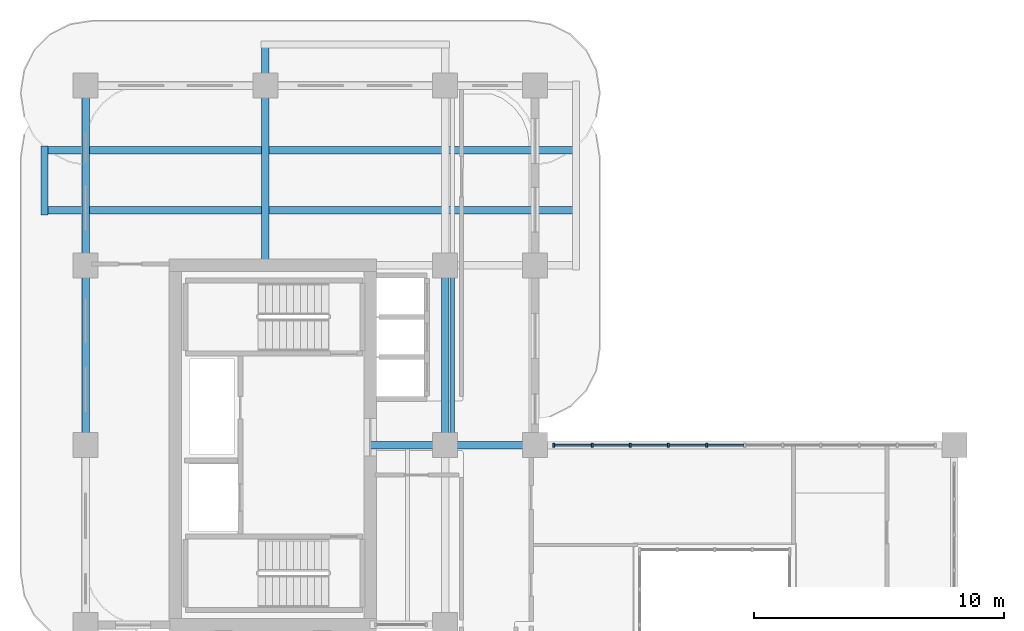
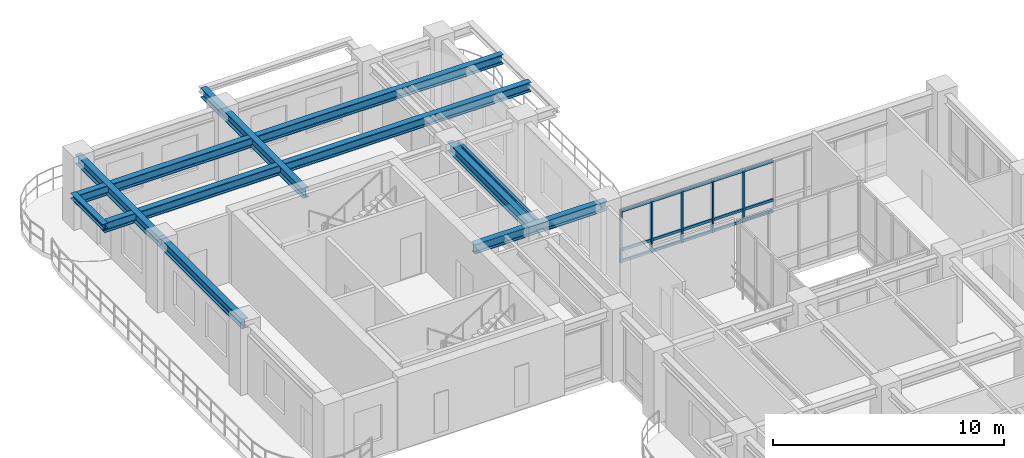
# One storey, part 5 of 20: 20 members, 9 beams, 1 element without a shape of its own.
"""IFC4 building model written with IfcOpenShell, lengths in metres."""

from ifc_helpers import new_model, si_unit, derived_unit, direction, frame, origin, origin_2d, place, context, subcontext, project, spatial, rectangle, i_section, extrude, source, transform, mapped, material, layer, layer_set, material_profile, profile_set, type_object, type_shapes, element, aggregate, save


model = new_model("IFC4")

# Units and contexts
model_context = context("Model", 3, precision=1e-05, world=origin(), true_north=direction((0.0, 1.0)))
body_context = subcontext(model_context, "Body", "Model", "MODEL_VIEW")
ifc_project = project(units=[si_unit("LENGTHUNIT", "METRE"), si_unit("AREAUNIT", "SQUARE_METRE"), si_unit("VOLUMEUNIT", "CUBIC_METRE"), si_unit("PLANEANGLEUNIT", "RADIAN"), si_unit("MASSUNIT", "GRAM", prefix="KILO"), si_unit("THERMODYNAMICTEMPERATUREUNIT", "KELVIN"), si_unit("POWERUNIT", "WATT"), derived_unit("THERMALTRANSMITTANCEUNIT", [(si_unit("POWERUNIT", "WATT"), 1), (si_unit("AREAUNIT", "SQUARE_METRE"), -1), (si_unit("THERMODYNAMICTEMPERATUREUNIT", "KELVIN"), -1)])], contexts=[model_context])

# Site, building, storey
site_placement = place(None, origin())
site = spatial("IfcSite", under=ifc_project, at=site_placement, CompositionType="ELEMENT")
building_placement = place(site_placement, origin())
building = spatial("IfcBuilding", under=site, at=building_placement, Name="Zahravan Archway Hotel and Residences", CompositionType="ELEMENT")
storey_placement = place(building_placement, frame((0.0, 0.0, 154.14990234375)))
storey = spatial("IfcBuildingStorey", under=building, at=storey_placement, Name="L38", CompositionType="ELEMENT", Elevation=154.14990234375)

# Beams
ifc_material_1 = material(Name="Structural Steel S355JR", Category="steel")
ifc_material_profile_1 = material_profile(ifc_material_1, i_section(OverallWidth=0.280029296875, OverallDepth=0.280029296875, WebThickness=0.010498046875, FlangeThickness=0.01806640625, FilletRadius=0.02392578125, at=origin_2d()), Name="HEB 280", Category="steel")
ifc_profile_set_1 = profile_set([ifc_material_profile_1], Name="Structural Steel S355JR")
beam_type_1 = type_object("IfcBeamType", Name="BM-SPN-HEB280", PredefinedType="SPANDREL", material=ifc_profile_set_1)
shared_shape_1 = source(origin(), body_context, "Body", "SweptSolid", [
    extrude(i_section(OverallWidth=0.280029296875, OverallDepth=0.280029296875, WebThickness=0.010498046875, FlangeThickness=0.01806640625, FilletRadius=0.02392578125, at=origin_2d()), origin(), (0.0, 0.0, 1.0), 2.759765625),
])
beam_1_placement = place(storey_placement, frame((-1.64990234375, 41.6201171875, 3.460205078125), z_axis=(0.0, 1.0, 0.0), x_axis=(-1.0, 0.0, 0.0)))
element("IfcBeam", 1, at=beam_1_placement, inside=storey, type_object=beam_type_1, Name="L39 WB Balcony Edge Spandrel", PredefinedType="SPANDREL", context=body_context, shape_type="MappedRepresentation", body=[
    mapped(shared_shape_1, transform((0.0, 0.0, 0.0), scale=1.0)),
])
ifc_material_profile_2 = material_profile(ifc_material_1, i_section(OverallWidth=0.300048828125, OverallDepth=0.5, WebThickness=0.014404296875, FlangeThickness=0.028076171875, FilletRadius=0.027099609375, at=origin_2d()), Name="HEB 500", Category="steel")
ifc_profile_set_2 = profile_set([ifc_material_profile_2], Name="Structural Steel S355JR")
beam_type_2 = type_object("IfcBeamType", Name="BM-PRI-HEB500", PredefinedType="BEAM", material=ifc_profile_set_2)
shared_shape_2 = source(origin(), body_context, "Body", "SweptSolid", [
    extrude(i_section(OverallWidth=0.300048828125, OverallDepth=0.5, WebThickness=0.014404296875, FlangeThickness=0.028076171875, FilletRadius=0.027099609375, at=origin_2d()), origin(), (0.0, 0.0, 1.0), 7.2001953125),
])
type_shapes(beam_type_2, [shared_shape_2])
for number, where, z_axis, x_axis, name in (
    (2, (0.0, 32.39990234375, 3.35009765625), (0.0, 1.0, 0.0), (-1.0, 0.0, 0.0), "L38 Primary Girder NS-25"),
    (3, (14.39990234375, 32.39990234375, 3.35009765625), (0.0, 1.0, 0.0), (-1.0, 0.0, 0.0), "L38 Primary Girder NS-33"),
):
    element("IfcBeam", number, at=place(storey_placement, frame(where, z_axis=z_axis, x_axis=x_axis)), inside=storey, type_object=beam_type_2, Name=name, PredefinedType="BEAM", context=body_context, shape_type="MappedRepresentation", body=[
        mapped(shared_shape_2, transform((0.0, 0.0, 0.0), scale=1.0)),
    ])
shared_shape_3 = source(origin(), body_context, "Body", "SweptSolid", [
    extrude(i_section(OverallWidth=0.300048828125, OverallDepth=0.5, WebThickness=0.014404296875, FlangeThickness=0.028076171875, FilletRadius=0.027099609375, at=origin_2d()), origin(), (0.0, 0.0, 1.0), 7.199951171875),
])
beam_2_placement = place(storey_placement, frame((0.0, 39.60009765625, 3.35009765625), z_axis=(0.0, 1.0, 0.0), x_axis=(-1.0, 0.0, 0.0)))
element("IfcBeam", 4, at=beam_2_placement, inside=storey, type_object=beam_type_2, Name="L38 Primary Girder NS-26", PredefinedType="BEAM", context=body_context, shape_type="MappedRepresentation", body=[
    mapped(shared_shape_3, transform((0.0, 0.0, 0.0), scale=1.0)),
])
shared_shape_4 = source(origin(), body_context, "Body", "SweptSolid", [
    extrude(i_section(OverallWidth=0.300048828125, OverallDepth=0.5, WebThickness=0.014404296875, FlangeThickness=0.028076171875, FilletRadius=0.027099609375, at=origin_2d()), origin(), (0.0, 0.0, 1.0), 6.60009765625),
])
beam_3_placement = place(storey_placement, frame((11.39990234375, 32.39990234375, 3.35009765625), z_axis=(1.0, 0.0, 0.0), x_axis=(0.0, 1.0, 0.0)))
element("IfcBeam", 5, at=beam_3_placement, inside=storey, type_object=beam_type_2, Name="L38 Primary Girder EW-17", PredefinedType="BEAM", context=body_context, shape_type="MappedRepresentation", body=[
    mapped(shared_shape_4, transform((0.0, 0.0, 0.0), scale=1.0)),
])
shared_shape_5 = source(origin(), body_context, "Body", "SweptSolid", [
    extrude(i_section(OverallWidth=0.300048828125, OverallDepth=0.5, WebThickness=0.014404296875, FlangeThickness=0.028076171875, FilletRadius=0.027099609375, at=origin_2d()), origin(), (0.0, 0.0, 1.0), 21.2998046875),
])
for number, where, z_axis, x_axis, name in (
    (6, (-1.64990234375, 41.800048828125, 3.35009765625), (1.0, 0.0, 0.0), (0.0, 1.0, 0.0), "L38 Primary Girder EW-22"),
    (7, (-1.64990234375, 44.199951171875, 3.35009765625), (1.0, 0.0, 0.0), (0.0, 1.0, 0.0), "L38 Primary Girder EW-23"),
):
    element("IfcBeam", number, at=place(storey_placement, frame(where, z_axis=z_axis, x_axis=x_axis)), inside=storey, type_object=beam_type_2, Name=name, PredefinedType="BEAM", context=body_context, shape_type="MappedRepresentation", body=[
        mapped(shared_shape_5, transform((0.0, 0.0, 0.0), scale=1.0)),
    ])
shared_shape_6 = source(origin(), body_context, "Body", "SweptSolid", [
    extrude(i_section(OverallWidth=0.300048828125, OverallDepth=0.5, WebThickness=0.014404296875, FlangeThickness=0.028076171875, FilletRadius=0.027099609375, at=origin_2d()), origin(), (0.0, 0.0, 1.0), 8.849853515625),
])
beam_4_placement = place(storey_placement, frame((7.199951171875, 39.60009765625, 3.35009765625), z_axis=(0.0, 1.0, 0.0), x_axis=(-1.0, 0.0, 0.0)))
element("IfcBeam", 8, at=beam_4_placement, inside=storey, type_object=beam_type_2, Name="L38 Primary Girder NS-27", PredefinedType="BEAM", context=body_context, shape_type="MappedRepresentation", body=[
    mapped(shared_shape_6, transform((0.0, 0.0, 0.0), scale=1.0)),
])
ifc_material_profile_3 = material_profile(ifc_material_1, i_section(OverallWidth=0.14990234375, OverallDepth=0.300048828125, WebThickness=0.007080078125, FlangeThickness=0.0107421875, FilletRadius=0.014892578125, at=origin_2d()), Name="IPE 300", Category="steel")
ifc_profile_set_3 = profile_set([ifc_material_profile_3], Name="Structural Steel S355JR")
beam_type_3 = type_object("IfcBeamType", Name="BM-JST-IPE300", PredefinedType="JOIST", material=ifc_profile_set_3)
shared_shape_7 = source(origin(), body_context, "Body", "SweptSolid", [
    extrude(i_section(OverallWidth=0.14990234375, OverallDepth=0.300048828125, WebThickness=0.007080078125, FlangeThickness=0.0107421875, FilletRadius=0.014892578125, at=origin_2d()), origin(), (0.0, 0.0, 1.0), 6.90380859375),
])
beam_5_placement = place(storey_placement, frame((14.699951171875, 32.548095703125, 3.4501953125), z_axis=(0.0, 1.0, 0.0), x_axis=(-1.0, 0.0, 0.0)))
element("IfcBeam", 9, at=beam_5_placement, inside=storey, type_object=beam_type_3, Name="L38 Composite Floor Joist 11", PredefinedType="JOIST", context=body_context, shape_type="MappedRepresentation", body=[
    mapped(shared_shape_7, transform((0.0, 0.0, 0.0), scale=1.0)),
])

# Curtain wall, members
ifc_material_2 = material(Name="Bronze-Anodized Unitised Aluminium & Low-E Glass", Category="aluminium")
ifc_layer = layer(ifc_material_2, 0.179931640625, Name="Bronze-Anodized Unitised Aluminium & Low-E Glass", Category="aluminium")
ifc_layer_set = layer_set([ifc_layer], Name="Bronze-Anodized Unitised Aluminium & Low-E Glass")
curtain_wall_type = type_object("IfcCurtainWallType", Name="CW-ATR-GLAZ", PredefinedType="NOTDEFINED", material=ifc_layer_set)
curtain_wall_placement = place(storey_placement, origin())
curtain_wall = element("IfcCurtainWall", 10, at=curtain_wall_placement, inside=storey, type_object=curtain_wall_type, Name="L38 Curtain Wall CW-L38-HNG-N-1", PredefinedType="NOTDEFINED")
ifc_material_3 = material(Name="Bronze-Anodized Extruded Aluminium", Category="aluminium")
ifc_material_profile_4 = material_profile(ifc_material_3, rectangle(XDim=0.080078125, YDim=0.139892578125, at=origin_2d()), Name="TRN 80x140", Category="aluminium")
ifc_profile_set_4 = profile_set([ifc_material_profile_4], Name="Bronze-Anodized Extruded Aluminium")
member_type_1 = type_object("IfcMemberType", Name="CWM-TRN-140", PredefinedType="USERDEFINED", material=ifc_profile_set_4)
shared_shape_8 = source(origin(), body_context, "Body", "SweptSolid", [
    extrude(rectangle(XDim=0.080078125, YDim=0.139892578125, at=origin_2d()), origin(), (0.0, 0.0, 1.0), 1.447998046875),
])
member_1_placement = place(storey_placement, frame((18.800048828125, 32.39990234375, 0.070068359375), z_axis=(1.0, 0.0, 0.0), x_axis=(0.0, 1.0, 0.0)))
member_1 = element("IfcMember", 11, at=member_1_placement, type_object=member_type_1, Name="CW-L38-HNG-N-1 Transom 0-1", ObjectType="TRANSOM", PredefinedType="USERDEFINED", context=body_context, shape_type="MappedRepresentation", body=[
    mapped(shared_shape_8, transform((0.0, 0.0, 0.0), scale=1.0)),
])
member_2_placement = place(storey_placement, frame((18.800048828125, 32.39990234375, 0.66845703125), z_axis=(1.0, 0.0, 0.0), x_axis=(0.0, 1.0, 0.0)))
member_2 = element("IfcMember", 12, at=member_2_placement, type_object=member_type_1, Name="CW-L38-HNG-N-1 Transom 0-2", ObjectType="TRANSOM", PredefinedType="USERDEFINED", context=body_context, shape_type="MappedRepresentation", body=[
    mapped(shared_shape_8, transform((0.0, 0.0, 0.0), scale=1.0)),
])
member_3_placement = place(storey_placement, frame((18.800048828125, 32.39990234375, 2.715087890625), z_axis=(1.0, 0.0, 0.0), x_axis=(0.0, 1.0, 0.0)))
member_3 = element("IfcMember", 13, at=member_3_placement, type_object=member_type_1, Name="CW-L38-HNG-N-1 Transom 0-3", ObjectType="TRANSOM", PredefinedType="USERDEFINED", context=body_context, shape_type="MappedRepresentation", body=[
    mapped(shared_shape_8, transform((0.0, 0.0, 0.0), scale=1.0)),
])
member_4_placement = place(storey_placement, frame((20.327880859375, 32.39990234375, 0.070068359375), z_axis=(1.0, 0.0, 0.0), x_axis=(0.0, 1.0, 0.0)))
member_4 = element("IfcMember", 14, at=member_4_placement, type_object=member_type_1, Name="CW-L38-HNG-N-1 Transom 1-1", ObjectType="TRANSOM", PredefinedType="USERDEFINED", context=body_context, shape_type="MappedRepresentation", body=[
    mapped(shared_shape_8, transform((0.0, 0.0, 0.0), scale=1.0)),
])
member_5_placement = place(storey_placement, frame((20.327880859375, 32.39990234375, 0.66845703125), z_axis=(1.0, 0.0, 0.0), x_axis=(0.0, 1.0, 0.0)))
member_5 = element("IfcMember", 15, at=member_5_placement, type_object=member_type_1, Name="CW-L38-HNG-N-1 Transom 1-2", ObjectType="TRANSOM", PredefinedType="USERDEFINED", context=body_context, shape_type="MappedRepresentation", body=[
    mapped(shared_shape_8, transform((0.0, 0.0, 0.0), scale=1.0)),
])
member_6_placement = place(storey_placement, frame((20.327880859375, 32.39990234375, 2.715087890625), z_axis=(1.0, 0.0, 0.0), x_axis=(0.0, 1.0, 0.0)))
member_6 = element("IfcMember", 16, at=member_6_placement, type_object=member_type_1, Name="CW-L38-HNG-N-1 Transom 1-3", ObjectType="TRANSOM", PredefinedType="USERDEFINED", context=body_context, shape_type="MappedRepresentation", body=[
    mapped(shared_shape_8, transform((0.0, 0.0, 0.0), scale=1.0)),
])
member_7_placement = place(storey_placement, frame((21.85595703125, 32.39990234375, 0.070068359375), z_axis=(1.0, 0.0, 0.0), x_axis=(0.0, 1.0, 0.0)))
member_7 = element("IfcMember", 17, at=member_7_placement, type_object=member_type_1, Name="CW-L38-HNG-N-1 Transom 2-1", ObjectType="TRANSOM", PredefinedType="USERDEFINED", context=body_context, shape_type="MappedRepresentation", body=[
    mapped(shared_shape_8, transform((0.0, 0.0, 0.0), scale=1.0)),
])
member_8_placement = place(storey_placement, frame((21.85595703125, 32.39990234375, 0.66845703125), z_axis=(1.0, 0.0, 0.0), x_axis=(0.0, 1.0, 0.0)))
member_8 = element("IfcMember", 18, at=member_8_placement, type_object=member_type_1, Name="CW-L38-HNG-N-1 Transom 2-2", ObjectType="TRANSOM", PredefinedType="USERDEFINED", context=body_context, shape_type="MappedRepresentation", body=[
    mapped(shared_shape_8, transform((0.0, 0.0, 0.0), scale=1.0)),
])
member_9_placement = place(storey_placement, frame((21.85595703125, 32.39990234375, 2.715087890625), z_axis=(1.0, 0.0, 0.0), x_axis=(0.0, 1.0, 0.0)))
member_9 = element("IfcMember", 19, at=member_9_placement, type_object=member_type_1, Name="CW-L38-HNG-N-1 Transom 2-3", ObjectType="TRANSOM", PredefinedType="USERDEFINED", context=body_context, shape_type="MappedRepresentation", body=[
    mapped(shared_shape_8, transform((0.0, 0.0, 0.0), scale=1.0)),
])
member_10_placement = place(storey_placement, frame((23.384033203125, 32.39990234375, 0.070068359375), z_axis=(1.0, 0.0, 0.0), x_axis=(0.0, 1.0, 0.0)))
member_10 = element("IfcMember", 20, at=member_10_placement, type_object=member_type_1, Name="CW-L38-HNG-N-1 Transom 3-1", ObjectType="TRANSOM", PredefinedType="USERDEFINED", context=body_context, shape_type="MappedRepresentation", body=[
    mapped(shared_shape_8, transform((0.0, 0.0, 0.0), scale=1.0)),
])
member_11_placement = place(storey_placement, frame((23.384033203125, 32.39990234375, 0.66845703125), z_axis=(1.0, 0.0, 0.0), x_axis=(0.0, 1.0, 0.0)))
member_11 = element("IfcMember", 21, at=member_11_placement, type_object=member_type_1, Name="CW-L38-HNG-N-1 Transom 3-2", ObjectType="TRANSOM", PredefinedType="USERDEFINED", context=body_context, shape_type="MappedRepresentation", body=[
    mapped(shared_shape_8, transform((0.0, 0.0, 0.0), scale=1.0)),
])
member_12_placement = place(storey_placement, frame((23.384033203125, 32.39990234375, 2.715087890625), z_axis=(1.0, 0.0, 0.0), x_axis=(0.0, 1.0, 0.0)))
member_12 = element("IfcMember", 22, at=member_12_placement, type_object=member_type_1, Name="CW-L38-HNG-N-1 Transom 3-3", ObjectType="TRANSOM", PredefinedType="USERDEFINED", context=body_context, shape_type="MappedRepresentation", body=[
    mapped(shared_shape_8, transform((0.0, 0.0, 0.0), scale=1.0)),
])
member_13_placement = place(storey_placement, frame((24.912109375, 32.39990234375, 0.070068359375), z_axis=(1.0, 0.0, 0.0), x_axis=(0.0, 1.0, 0.0)))
member_13 = element("IfcMember", 23, at=member_13_placement, type_object=member_type_1, Name="CW-L38-HNG-N-1 Transom 4-1", ObjectType="TRANSOM", PredefinedType="USERDEFINED", context=body_context, shape_type="MappedRepresentation", body=[
    mapped(shared_shape_8, transform((0.0, 0.0, 0.0), scale=1.0)),
])
member_14_placement = place(storey_placement, frame((24.912109375, 32.39990234375, 0.66845703125), z_axis=(1.0, 0.0, 0.0), x_axis=(0.0, 1.0, 0.0)))
member_14 = element("IfcMember", 24, at=member_14_placement, type_object=member_type_1, Name="CW-L38-HNG-N-1 Transom 4-2", ObjectType="TRANSOM", PredefinedType="USERDEFINED", context=body_context, shape_type="MappedRepresentation", body=[
    mapped(shared_shape_8, transform((0.0, 0.0, 0.0), scale=1.0)),
])
member_15_placement = place(storey_placement, frame((24.912109375, 32.39990234375, 2.715087890625), z_axis=(1.0, 0.0, 0.0), x_axis=(0.0, 1.0, 0.0)))
member_15 = element("IfcMember", 25, at=member_15_placement, type_object=member_type_1, Name="CW-L38-HNG-N-1 Transom 4-3", ObjectType="TRANSOM", PredefinedType="USERDEFINED", context=body_context, shape_type="MappedRepresentation", body=[
    mapped(shared_shape_8, transform((0.0, 0.0, 0.0), scale=1.0)),
])
ifc_material_profile_5 = material_profile(ifc_material_3, rectangle(XDim=0.080078125, YDim=0.159912109375, at=origin_2d()), Name="MUL 80x160", Category="aluminium")
ifc_profile_set_5 = profile_set([ifc_material_profile_5], Name="Bronze-Anodized Extruded Aluminium")
member_type_2 = type_object("IfcMemberType", Name="CWM-MUL-160", PredefinedType="MULLION", material=ifc_profile_set_5)
shared_shape_9 = source(origin(), body_context, "Body", "SweptSolid", [
    extrude(rectangle(XDim=0.080078125, YDim=0.159912109375, at=origin_2d()), origin(), (0.0, 0.0, 1.0), 2.78515625),
])
member_16_placement = place(storey_placement, frame((18.760009765625, 32.39990234375, 0.0), z_axis=(0.0, 0.0, 1.0), x_axis=(1.0, 0.0, 0.0)))
member_16 = element("IfcMember", 26, at=member_16_placement, type_object=member_type_2, Name="CW-L38-HNG-N-1 Mullion 0", PredefinedType="MULLION", context=body_context, shape_type="MappedRepresentation", body=[
    mapped(shared_shape_9, transform((0.0, 0.0, 0.0), scale=1.0)),
])
member_17_placement = place(storey_placement, frame((20.2880859375, 32.39990234375, 0.0), z_axis=(0.0, 0.0, 1.0), x_axis=(1.0, 0.0, 0.0)))
member_17 = element("IfcMember", 27, at=member_17_placement, type_object=member_type_2, Name="CW-L38-HNG-N-1 Mullion 1", PredefinedType="MULLION", context=body_context, shape_type="MappedRepresentation", body=[
    mapped(shared_shape_9, transform((0.0, 0.0, 0.0), scale=1.0)),
])
member_18_placement = place(storey_placement, frame((21.81591796875, 32.39990234375, 0.0), z_axis=(0.0, 0.0, 1.0), x_axis=(1.0, 0.0, 0.0)))
member_18 = element("IfcMember", 28, at=member_18_placement, type_object=member_type_2, Name="CW-L38-HNG-N-1 Mullion 2", PredefinedType="MULLION", context=body_context, shape_type="MappedRepresentation", body=[
    mapped(shared_shape_9, transform((0.0, 0.0, 0.0), scale=1.0)),
])
member_19_placement = place(storey_placement, frame((23.343994140625, 32.39990234375, 0.0), z_axis=(0.0, 0.0, 1.0), x_axis=(1.0, 0.0, 0.0)))
member_19 = element("IfcMember", 29, at=member_19_placement, type_object=member_type_2, Name="CW-L38-HNG-N-1 Mullion 3", PredefinedType="MULLION", context=body_context, shape_type="MappedRepresentation", body=[
    mapped(shared_shape_9, transform((0.0, 0.0, 0.0), scale=1.0)),
])
member_20_placement = place(storey_placement, frame((24.8720703125, 32.39990234375, 0.0), z_axis=(0.0, 0.0, 1.0), x_axis=(1.0, 0.0, 0.0)))
member_20 = element("IfcMember", 30, at=member_20_placement, type_object=member_type_2, Name="CW-L38-HNG-N-1 Mullion 4", PredefinedType="MULLION", context=body_context, shape_type="MappedRepresentation", body=[
    mapped(shared_shape_9, transform((0.0, 0.0, 0.0), scale=1.0)),
])
aggregate(curtain_wall, [member_16, member_17, member_18, member_19, member_20, member_1, member_2, member_3, member_4, member_5, member_6, member_7, member_8, member_9, member_10, member_11, member_12, member_13, member_14, member_15])

save(model, "model.ifc")
